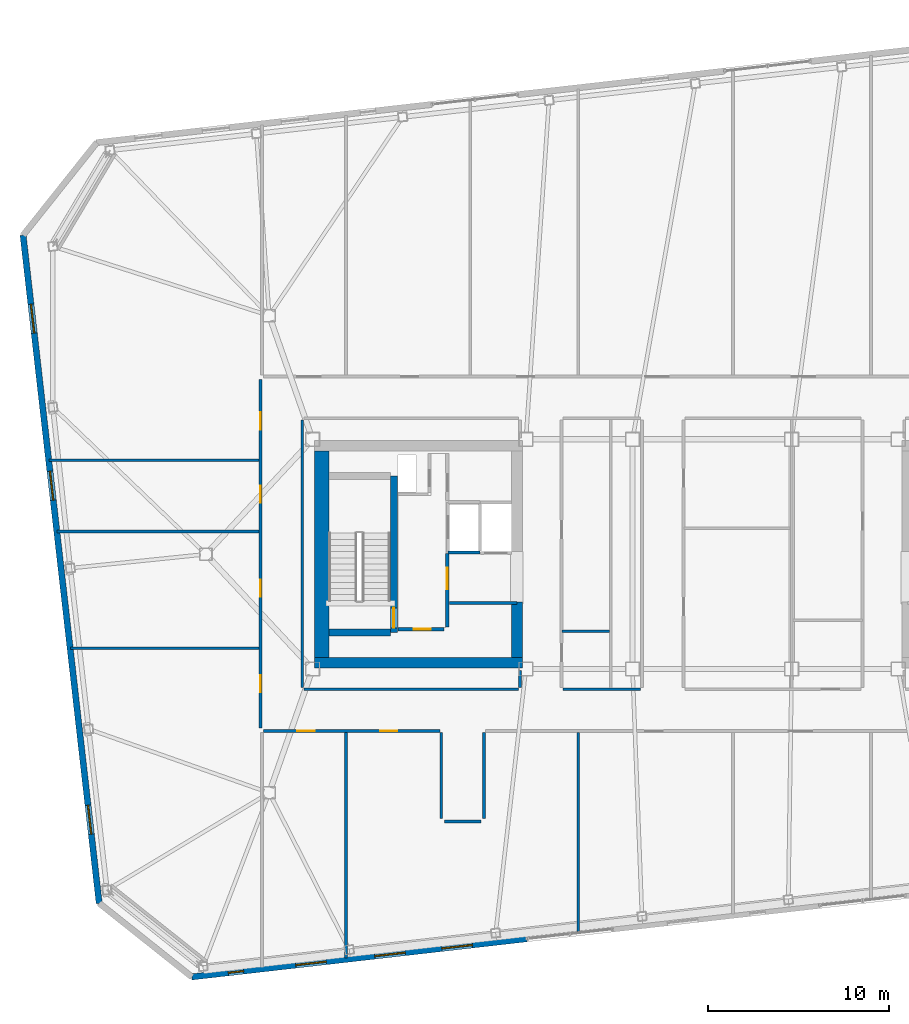
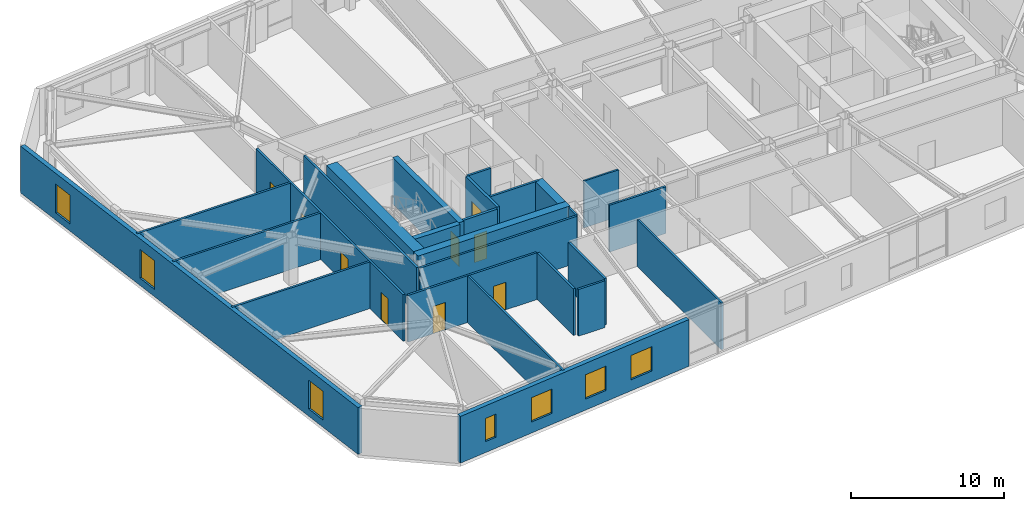
# One storey, part 12 of 19: 26 walls, 9 doors, 7 windows, 16 openings.
"""IFC4 building model written with IfcOpenShell, lengths in metres."""

from ifc_helpers import new_model, si_unit, direction, frame, frame_2d, origin, place, context, subcontext, project, spatial, rectangle, extrude, material, layer, layer_set, type_object, element, fill, save


model = new_model("IFC4")

# Units and contexts
model_context = context("Model", 3, precision=1e-05, world=origin(), true_north=direction((0.0, 1.0)))
body_context = subcontext(model_context, "Body", "Model", "MODEL_VIEW")
ifc_project = project(units=[si_unit("LENGTHUNIT", "METRE"), si_unit("AREAUNIT", "SQUARE_METRE"), si_unit("VOLUMEUNIT", "CUBIC_METRE"), si_unit("PLANEANGLEUNIT", "RADIAN"), si_unit("MASSUNIT", "GRAM", prefix="KILO")], contexts=[model_context])

# Site, building, storey
site_placement = place(None, origin())
site = spatial("IfcSite", under=ifc_project, at=site_placement, CompositionType="ELEMENT")
building_placement = place(site_placement, origin())
building = spatial("IfcBuilding", under=site, at=building_placement, Name="Tavrogorsk Clinical Tower", CompositionType="ELEMENT")
storey_placement = place(building_placement, frame((0.0, 0.0, 255.0)))
storey = spatial("IfcBuildingStorey", under=building, at=storey_placement, Name="L59", CompositionType="ELEMENT", Elevation=255.0)

# Wall, opening, door
ifc_material_1 = material(Name="Concrete B60", Category="concrete")
ifc_layer_1 = layer(ifc_material_1, 0.199951171875)
ifc_layer_set_1 = layer_set([ifc_layer_1], Name="Concrete B60")
wall_type_1 = type_object("IfcWallType", Name="CoreFireWall_200", PredefinedType="SOLIDWALL", material=ifc_layer_set_1)
wall_1_placement = place(storey_placement, frame((-17.3798828125, -4.139892578125, 0.0), z_axis=(0.0, 0.0, 1.0), x_axis=(1.0, 0.0, 0.0)))
wall_1 = element("IfcWall", 1, at=wall_1_placement, inside=storey, type_object=wall_type_1, Name="L59 Core West South Core Room Fire Wall", PredefinedType="SOLIDWALL", context=body_context, shape_type="SweptSolid", body=[
    extrude(rectangle(XDim=2.554931640625, YDim=0.199951171875, at=frame_2d((1.27734375, 0.0))), origin(), (0.0, 0.0, 1.0), 3.739990234375),
])
opening_1_placement = place(wall_1_placement, frame((0.8798828125, 0.0, 0.0)))
opening_1 = element("IfcOpeningElement", 2, at=opening_1_placement, cuts=wall_1, Name="Opening ID-02", PredefinedType="OPENING", context=body_context, shape_type="SweptSolid", body=[
    extrude(rectangle(XDim=0.949951171875, YDim=2.199951171875, at=frame_2d((0.47509765625, 1.10009765625))), frame((0.0, 0.10986328125, 0.0), z_axis=(0.0, -1.0, 0.0), x_axis=(1.0, 0.0, 0.0)), (0.0, 0.0, 1.0), 0.219970703125),
])
ifc_material_2 = material(Name="Laminated timber leaf on aluminium frame", Category="wood")
door_type_1 = type_object("IfcDoorType", Name="InteriorDoor_ID02_950", OperationType="NOTDEFINED", PredefinedType="DOOR", material=ifc_material_2)
door_1_placement = place(opening_1_placement, origin())
door_1 = element("IfcDoor", 3, at=door_1_placement, inside=storey, type_object=door_type_1, Name="L59 Core West South Core Room Door", OperationType="SINGLE_SWING_RIGHT", OverallHeight=2.199951171875, OverallWidth=0.949951171875, PredefinedType="DOOR", context=body_context, shape_type="SweptSolid", body=[
    extrude(rectangle(XDim=0.949951171875, YDim=2.199951171875, at=frame_2d((0.47509765625, 1.10009765625))), frame((0.0, 0.02490234375, 0.0), z_axis=(0.0, -1.0, 0.0), x_axis=(1.0, 0.0, 0.0)), (0.0, 0.0, 1.0), 0.050048828125),
])
fill(opening_1, door_1)

wall_2_placement = place(storey_placement, frame((-14.639892578125, -4.034912109375, 0.0), z_axis=(0.0, 0.0, 1.0), x_axis=(0.0, 1.0, 0.0)))
wall_2 = element("IfcWall", 4, at=wall_2_placement, inside=storey, type_object=wall_type_1, Name="L59 Core West Firefighting Lobby Fire Wall", PredefinedType="SOLIDWALL", context=body_context, shape_type="SweptSolid", body=[
    extrude(rectangle(XDim=4.074951171875, YDim=0.199951171875, at=frame_2d((2.03759765625, 0.0))), origin(), (0.0, 0.0, 1.0), 3.739990234375),
])
opening_2_placement = place(wall_2_placement, frame((2.090087890625, 0.0, 0.0)))
opening_2 = element("IfcOpeningElement", 5, at=opening_2_placement, cuts=wall_2, Name="Opening FD-01", PredefinedType="OPENING", context=body_context, shape_type="SweptSolid", body=[
    extrude(rectangle(XDim=1.199951171875, YDim=2.199951171875, at=frame_2d((0.60009765625, 1.10009765625))), frame((0.0, 0.10986328125, 0.0), z_axis=(0.0, -1.0, 0.0), x_axis=(1.0, 0.0, 0.0)), (0.0, 0.0, 1.0), 0.219970703125),
])
ifc_material_3 = material(Name="Galvanised steel fire-rated door assembly", Category="steel")
door_type_2 = type_object("IfcDoorType", Name="FireDoor_FD01_1200", OperationType="NOTDEFINED", PredefinedType="DOOR", material=ifc_material_3)
door_2_placement = place(opening_2_placement, origin())
door_2 = element("IfcDoor", 6, at=door_2_placement, inside=storey, type_object=door_type_2, Name="L59 Core West Firefighting Lobby Entry Door", OperationType="SINGLE_SWING_RIGHT", OverallHeight=2.199951171875, OverallWidth=1.199951171875, PredefinedType="DOOR", context=body_context, shape_type="SweptSolid", body=[
    extrude(rectangle(XDim=1.199951171875, YDim=2.199951171875, at=frame_2d((0.60009765625, 1.10009765625))), frame((0.0, 0.02490234375, 0.0), z_axis=(0.0, -1.0, 0.0), x_axis=(1.0, 0.0, 0.0)), (0.0, 0.0, 1.0), 0.050048828125),
])
fill(opening_2, door_2)

# Walls
ifc_material_4 = material(Name="Lightweight concrete blockwork B15", Category="masonry")
ifc_layer_2 = layer(ifc_material_4, 0.139892578125)
ifc_layer_set_2 = layer_set([ifc_layer_2], Name="Lightweight concrete blockwork B15")
wall_type_2 = type_object("IfcWallType", Name="PartitionWall_140", PredefinedType="PARTITIONING", material=ifc_layer_set_2)
wall_3_placement = place(storey_placement, frame((-8.31494140625, -4.25, 0.0), z_axis=(0.0, 0.0, 1.0), x_axis=(1.0, 0.0, 0.0)))
element("IfcWall", 7, at=wall_3_placement, inside=storey, type_object=wall_type_2, Name="L59 Central Spine Partition 4", PredefinedType="PARTITIONING", context=body_context, shape_type="SweptSolid", body=[
    extrude(rectangle(XDim=2.639892578125, YDim=0.139892578125, at=frame_2d((1.31982421875, 0.0))), origin(), (0.0, 0.0, 1.0), 3.739990234375),
])
ifc_material_5 = material(Name="Lightweight concrete blockwork B15", Category="masonry")
ifc_layer_3 = layer(ifc_material_5, 0.159912109375)
ifc_layer_set_3 = layer_set([ifc_layer_3], Name="Lightweight concrete blockwork B15")
wall_type_3 = type_object("IfcWallType", Name="PartitionWall_160", PredefinedType="PARTITIONING", material=ifc_layer_set_3)
wall_4_placement = place(storey_placement, frame((-14.534912109375, -2.699951171875, 0.0), z_axis=(0.0, 0.0, 1.0), x_axis=(1.0, 0.0, 0.0)))
element("IfcWall", 8, at=wall_4_placement, inside=storey, type_object=wall_type_3, Name="L59 Core West Freed Mid-Bank North Partition", PredefinedType="PARTITIONING", context=body_context, shape_type="SweptSolid", body=[
    extrude(rectangle(XDim=3.73486328125, YDim=0.159912109375, at=frame_2d((1.867431640625, 0.0))), origin(), (0.0, 0.0, 1.0), 3.739990234375),
])

# Wall, openings, doors
wall_5_placement = place(storey_placement, frame((-24.97998046875, -9.614990234375, 0.0), z_axis=(0.0, 0.0, 1.0), x_axis=(0.0, 1.0, 0.0)))
wall_5 = element("IfcWall", 9, at=wall_5_placement, inside=storey, type_object=wall_type_3, Name="L59 Corridor Partition 01", PredefinedType="PARTITIONING", context=body_context, shape_type="SweptSolid", body=[
    extrude(rectangle(XDim=19.280029296875, YDim=0.159912109375, at=frame_2d((9.64013671875, 0.0))), origin(), (0.0, 0.0, 1.0), 3.739990234375),
])
opening_3_placement = place(wall_5_placement, frame((1.968994140625, 0.0, 0.0)))
opening_3 = element("IfcOpeningElement", 10, at=opening_3_placement, cuts=wall_5, Name="Opening ID-02", PredefinedType="OPENING", context=body_context, shape_type="SweptSolid", body=[
    extrude(rectangle(XDim=0.949951171875, YDim=2.199951171875, at=frame_2d((0.47509765625, 1.10009765625))), frame((0.0, 0.08984375, 0.0), z_axis=(0.0, -1.0, 0.0), x_axis=(1.0, 0.0, 0.0)), (0.0, 0.0, 1.0), 0.179931640625),
])
opening_4_placement = place(wall_5_placement, frame((7.25, 0.0, 0.0)))
opening_4 = element("IfcOpeningElement", 11, at=opening_4_placement, cuts=wall_5, Name="Opening ID-02", PredefinedType="OPENING", context=body_context, shape_type="SweptSolid", body=[
    extrude(rectangle(XDim=0.949951171875, YDim=2.199951171875, at=frame_2d((0.47509765625, 1.10009765625))), frame((0.0, 0.08984375, 0.0), z_axis=(0.0, -1.0, 0.0), x_axis=(1.0, 0.0, 0.0)), (0.0, 0.0, 1.0), 0.179931640625),
])
opening_5_placement = place(wall_5_placement, frame((12.449951171875, 0.0, 0.0)))
opening_5 = element("IfcOpeningElement", 12, at=opening_5_placement, cuts=wall_5, Name="Opening ID-02", PredefinedType="OPENING", context=body_context, shape_type="SweptSolid", body=[
    extrude(rectangle(XDim=0.949951171875, YDim=2.199951171875, at=frame_2d((0.47509765625, 1.10009765625))), frame((0.0, 0.08984375, 0.0), z_axis=(0.0, -1.0, 0.0), x_axis=(1.0, 0.0, 0.0)), (0.0, 0.0, 1.0), 0.179931640625),
])
opening_6_placement = place(wall_5_placement, frame((16.505859375, 0.0, 0.0)))
opening_6 = element("IfcOpeningElement", 13, at=opening_6_placement, cuts=wall_5, Name="Opening ID-02", PredefinedType="OPENING", context=body_context, shape_type="SweptSolid", body=[
    extrude(rectangle(XDim=0.949951171875, YDim=2.199951171875, at=frame_2d((0.47509765625, 1.10009765625))), frame((0.0, 0.08984375, 0.0), z_axis=(0.0, -1.0, 0.0), x_axis=(1.0, 0.0, 0.0)), (0.0, 0.0, 1.0), 0.179931640625),
])
door_3_placement = place(opening_3_placement, origin())
door_3 = element("IfcDoor", 14, at=door_3_placement, inside=storey, type_object=door_type_1, Name="L59 W Solarium Day Room & Lounge 1 Door", OperationType="SINGLE_SWING_LEFT", OverallHeight=2.199951171875, OverallWidth=0.949951171875, PredefinedType="DOOR", context=body_context, shape_type="SweptSolid", body=[
    extrude(rectangle(XDim=0.949951171875, YDim=2.199951171875, at=frame_2d((0.47509765625, 1.10009765625))), frame((0.0, 0.02490234375, 0.0), z_axis=(0.0, -1.0, 0.0), x_axis=(1.0, 0.0, 0.0)), (0.0, 0.0, 1.0), 0.050048828125),
])
fill(opening_3, door_3)
door_4_placement = place(opening_4_placement, origin())
door_4 = element("IfcDoor", 15, at=door_4_placement, inside=storey, type_object=door_type_1, Name="L59 W Rehabilitation Therapy Suite 2 Door", OperationType="SINGLE_SWING_RIGHT", OverallHeight=2.199951171875, OverallWidth=0.949951171875, PredefinedType="DOOR", context=body_context, shape_type="SweptSolid", body=[
    extrude(rectangle(XDim=0.949951171875, YDim=2.199951171875, at=frame_2d((0.47509765625, 1.10009765625))), frame((0.0, 0.02490234375, 0.0), z_axis=(0.0, -1.0, 0.0), x_axis=(1.0, 0.0, 0.0)), (0.0, 0.0, 1.0), 0.050048828125),
])
fill(opening_4, door_4)
door_5_placement = place(opening_5_placement, origin())
door_5 = element("IfcDoor", 16, at=door_5_placement, inside=storey, type_object=door_type_1, Name="L59 W Sub-Acute Observation Suite 3 Door", OperationType="SINGLE_SWING_LEFT", OverallHeight=2.199951171875, OverallWidth=0.949951171875, PredefinedType="DOOR", context=body_context, shape_type="SweptSolid", body=[
    extrude(rectangle(XDim=0.949951171875, YDim=2.199951171875, at=frame_2d((0.47509765625, 1.10009765625))), frame((0.0, 0.02490234375, 0.0), z_axis=(0.0, -1.0, 0.0), x_axis=(1.0, 0.0, 0.0)), (0.0, 0.0, 1.0), 0.050048828125),
])
fill(opening_5, door_5)
door_6_placement = place(opening_6_placement, origin())
door_6 = element("IfcDoor", 17, at=door_6_placement, inside=storey, type_object=door_type_1, Name="L59 W Family Consultation Lounge 4 Door", OperationType="SINGLE_SWING_RIGHT", OverallHeight=2.199951171875, OverallWidth=0.949951171875, PredefinedType="DOOR", context=body_context, shape_type="SweptSolid", body=[
    extrude(rectangle(XDim=0.949951171875, YDim=2.199951171875, at=frame_2d((0.47509765625, 1.10009765625))), frame((0.0, 0.02490234375, 0.0), z_axis=(0.0, -1.0, 0.0), x_axis=(1.0, 0.0, 0.0)), (0.0, 0.0, 1.0), 0.050048828125),
])
fill(opening_6, door_6)

# Walls
wall_6_placement = place(storey_placement, frame((-12.6201171875, -9.864990234375, 0.0), z_axis=(0.0, 0.0, 1.0), x_axis=(0.0, -1.0, 0.0)))
element("IfcWall", 18, at=wall_6_placement, inside=storey, type_object=wall_type_3, Name="L59 Corridor Partition 05", PredefinedType="PARTITIONING", context=body_context, shape_type="SweptSolid", body=[
    extrude(rectangle(XDim=4.75, YDim=0.159912109375, at=frame_2d((2.375, 0.0))), origin(), (0.0, 0.0, 1.0), 3.739990234375),
])
wall_7_placement = place(storey_placement, frame((-12.784912109375, -14.780029296875, 0.0), z_axis=(0.0, 0.0, 1.0), x_axis=(-1.0, 0.0, 0.0)))
element("IfcWall", 19, at=wall_7_placement, inside=storey, type_object=wall_type_3, Name="L59 Corridor Partition 06", PredefinedType="PARTITIONING", context=body_context, shape_type="SweptSolid", body=[
    extrude(rectangle(XDim=2.030029296875, YDim=0.159912109375, at=frame_2d((1.01513671875, 0.0))), origin(), (0.0, 0.0, 1.0), 3.739990234375),
])
wall_8_placement = place(storey_placement, frame((-14.97998046875, -14.614990234375, 0.0), z_axis=(0.0, 0.0, 1.0), x_axis=(0.0, 1.0, 0.0)))
element("IfcWall", 20, at=wall_8_placement, inside=storey, type_object=wall_type_3, Name="L59 Corridor Partition 07", PredefinedType="PARTITIONING", context=body_context, shape_type="SweptSolid", body=[
    extrude(rectangle(XDim=4.75, YDim=0.159912109375, at=frame_2d((2.375, 0.0))), origin(), (0.0, 0.0, 1.0), 3.739990234375),
])

# Wall, openings, doors
wall_9_placement = place(storey_placement, frame((-15.06494140625, -9.780029296875, 0.0), z_axis=(0.0, 0.0, 1.0), x_axis=(-1.0, 0.0, 0.0)))
wall_9 = element("IfcWall", 21, at=wall_9_placement, inside=storey, type_object=wall_type_3, Name="L59 Corridor Partition 08", PredefinedType="PARTITIONING", context=body_context, shape_type="SweptSolid", body=[
    extrude(rectangle(XDim=9.75, YDim=0.159912109375, at=frame_2d((4.875, 0.0))), origin(), (0.0, 0.0, 1.0), 3.739990234375),
])
opening_7_placement = place(wall_9_placement, frame((6.92578125, 0.0, 0.0)))
opening_7 = element("IfcOpeningElement", 22, at=opening_7_placement, cuts=wall_9, Name="Opening ID-02", PredefinedType="OPENING", context=body_context, shape_type="SweptSolid", body=[
    extrude(rectangle(XDim=0.949951171875, YDim=2.199951171875, at=frame_2d((0.47509765625, 1.10009765625))), frame((0.0, 0.08984375, 0.0), z_axis=(0.0, -1.0, 0.0), x_axis=(1.0, 0.0, 0.0)), (0.0, 0.0, 1.0), 0.179931640625),
])
opening_8_placement = place(wall_9_placement, frame((2.35400390625, 0.0, 0.0)))
opening_8 = element("IfcOpeningElement", 23, at=opening_8_placement, cuts=wall_9, Name="Opening ID-02", PredefinedType="OPENING", context=body_context, shape_type="SweptSolid", body=[
    extrude(rectangle(XDim=0.949951171875, YDim=2.199951171875, at=frame_2d((0.47509765625, 1.10009765625))), frame((0.0, 0.08984375, 0.0), z_axis=(0.0, -1.0, 0.0), x_axis=(1.0, 0.0, 0.0)), (0.0, 0.0, 1.0), 0.179931640625),
])
door_7_placement = place(opening_7_placement, origin())
door_7 = element("IfcDoor", 24, at=door_7_placement, inside=storey, type_object=door_type_1, Name="L59 South Outpatient Procedure Suite 01 Door", OperationType="SINGLE_SWING_LEFT", OverallHeight=2.199951171875, OverallWidth=0.949951171875, PredefinedType="DOOR", context=body_context, shape_type="SweptSolid", body=[
    extrude(rectangle(XDim=0.949951171875, YDim=2.199951171875, at=frame_2d((0.47509765625, 1.10009765625))), frame((0.0, 0.02490234375, 0.0), z_axis=(0.0, -1.0, 0.0), x_axis=(1.0, 0.0, 0.0)), (0.0, 0.0, 1.0), 0.050048828125),
])
fill(opening_7, door_7)
door_8_placement = place(opening_8_placement, origin())
door_8 = element("IfcDoor", 25, at=door_8_placement, inside=storey, type_object=door_type_1, Name="L59 South Cardiology Diagnostics Room 02 Door", OperationType="SINGLE_SWING_RIGHT", OverallHeight=2.199951171875, OverallWidth=0.949951171875, PredefinedType="DOOR", context=body_context, shape_type="SweptSolid", body=[
    extrude(rectangle(XDim=0.949951171875, YDim=2.199951171875, at=frame_2d((0.47509765625, 1.10009765625))), frame((0.0, 0.02490234375, 0.0), z_axis=(0.0, -1.0, 0.0), x_axis=(1.0, 0.0, 0.0)), (0.0, 0.0, 1.0), 0.050048828125),
])
fill(opening_8, door_8)

# Walls
wall_10_placement = place(storey_placement, frame((-8.235107421875, -7.469970703125, 0.0), z_axis=(0.0, 0.0, 1.0), x_axis=(1.0, 0.0, 0.0)))
element("IfcWall", 26, at=wall_10_placement, inside=storey, type_object=wall_type_3, Name="L59 Corridor Partition 21", PredefinedType="PARTITIONING", context=body_context, shape_type="SweptSolid", body=[
    extrude(rectangle(XDim=4.27001953125, YDim=0.159912109375, at=frame_2d((2.135009765625, 0.0))), origin(), (0.0, 0.0, 1.0), 3.739990234375),
])
wall_11_placement = place(storey_placement, frame((-10.6298828125, -7.385009765625, 0.0), z_axis=(0.0, 0.0, 1.0), x_axis=(0.0, 1.0, 0.0)))
element("IfcWall", 27, at=wall_11_placement, inside=storey, type_object=wall_type_3, Name="L59 Corridor Partition 22", PredefinedType="PARTITIONING", context=body_context, shape_type="SweptSolid", body=[
    extrude(rectangle(XDim=0.965087890625, YDim=0.159912109375, at=frame_2d((0.482421875, 0.0))), origin(), (0.0, 0.0, 1.0), 3.739990234375),
])
wall_12_placement = place(storey_placement, frame((-22.669921875, 7.43505859375, 0.0), z_axis=(0.0, 0.0, 1.0), x_axis=(0.0, -1.0, 0.0)))
element("IfcWall", 28, at=wall_12_placement, inside=storey, type_object=wall_type_3, Name="L59 Corridor Partition 25", PredefinedType="PARTITIONING", context=body_context, shape_type="SweptSolid", body=[
    extrude(rectangle(XDim=14.820068359375, YDim=0.159912109375, at=frame_2d((7.41015625, 0.0))), origin(), (0.0, 0.0, 1.0), 3.739990234375),
])
wall_13_placement = place(storey_placement, frame((-22.5849609375, -7.469970703125, 0.0), z_axis=(0.0, 0.0, 1.0), x_axis=(1.0, 0.0, 0.0)))
element("IfcWall", 29, at=wall_13_placement, inside=storey, type_object=wall_type_3, Name="L59 Corridor Partition 26", PredefinedType="PARTITIONING", context=body_context, shape_type="SweptSolid", body=[
    extrude(rectangle(XDim=11.869873046875, YDim=0.159912109375, at=frame_2d((5.93505859375, 0.0))), origin(), (0.0, 0.0, 1.0), 3.739990234375),
])
wall_14_placement = place(storey_placement, frame((-20.25, -22.343505859375, 0.0), z_axis=(0.0, 0.0, 1.0), x_axis=(0.0, 1.0, 0.0)))
element("IfcWall", 30, at=wall_14_placement, inside=storey, type_object=wall_type_3, Name="L59 South Room Partition 1", PredefinedType="PARTITIONING", context=body_context, shape_type="SweptSolid", body=[
    extrude(rectangle(XDim=12.478515625, YDim=0.159912109375, at=frame_2d((6.2392578125, 0.0))), origin(), (0.0, 0.0, 1.0), 3.739990234375),
])
wall_15_placement = place(storey_placement, frame((-7.39990234375, -20.87939453125, 0.0), z_axis=(0.0, 0.0, 1.0), x_axis=(0.0, 1.0, 0.0)))
element("IfcWall", 31, at=wall_15_placement, inside=storey, type_object=wall_type_3, Name="L59 South Room Partition 2", PredefinedType="PARTITIONING", context=body_context, shape_type="SweptSolid", body=[
    extrude(rectangle(XDim=11.014404296875, YDim=0.159912109375, at=frame_2d((5.50732421875, 0.0))), origin(), (0.0, 0.0, 1.0), 3.739990234375),
])
wall_16_placement = place(storey_placement, frame((-35.494384765625, -5.199951171875, 0.0), z_axis=(0.0, 0.0, 1.0), x_axis=(1.0, 0.0, 0.0)))
element("IfcWall", 32, at=wall_16_placement, inside=storey, type_object=wall_type_3, Name="L59 W Wing Divider 1", PredefinedType="PARTITIONING", context=body_context, shape_type="SweptSolid", body=[
    extrude(rectangle(XDim=10.429443359375, YDim=0.159912109375, at=frame_2d((5.21484375, 0.0))), origin(), (0.0, 0.0, 1.0), 3.739990234375),
])
wall_17_placement = place(storey_placement, frame((-36.2294921875, 1.25, 0.0), z_axis=(0.0, 0.0, 1.0), x_axis=(1.0, 0.0, 0.0)))
element("IfcWall", 33, at=wall_17_placement, inside=storey, type_object=wall_type_3, Name="L59 W Wing Divider 2", PredefinedType="PARTITIONING", context=body_context, shape_type="SweptSolid", body=[
    extrude(rectangle(XDim=11.16455078125, YDim=0.159912109375, at=frame_2d((5.582275390625, 0.0))), origin(), (0.0, 0.0, 1.0), 3.739990234375),
])
wall_18_placement = place(storey_placement, frame((-36.679443359375, 5.199951171875, 0.0), z_axis=(0.0, 0.0, 1.0), x_axis=(1.0, 0.0, 0.0)))
element("IfcWall", 34, at=wall_18_placement, inside=storey, type_object=wall_type_3, Name="L59 W Wing Divider 3", PredefinedType="PARTITIONING", context=body_context, shape_type="SweptSolid", body=[
    extrude(rectangle(XDim=11.614501953125, YDim=0.159912109375, at=frame_2d((5.80712890625, 0.0))), origin(), (0.0, 0.0, 1.0), 3.739990234375),
])

# Wall, openings, windows
ifc_material_6 = material(Name="Precast concrete B45 with limestone cladding", Category="masonry")
ifc_layer_4 = layer(ifc_material_6, 0.340087890625)
ifc_layer_set_4 = layer_set([ifc_layer_4], Name="Precast concrete B45 with limestone cladding")
wall_type_4 = type_object("IfcWallType", Name="PrecastLimestoneWall_340", PredefinedType="STANDARD", material=ifc_layer_set_4)
wall_19_placement = place(storey_placement, frame((-28.78271484375, -23.38623046875, 0.0), z_axis=(0.0, 0.0, 1.0), x_axis=(0.993572271362, 0.113199565282, 0.0)))
wall_19 = element("IfcWall", 35, at=wall_19_placement, inside=storey, type_object=wall_type_4, Name="L59 S Limestone Facade Wall 1", PredefinedType="STANDARD", context=body_context, shape_type="SweptSolid", body=[
    extrude(rectangle(XDim=18.6513671875, YDim=0.340087890625, at=frame_2d((9.32568359375, 0.0))), origin(), (0.0, 0.0, 1.0), 3.739990234375),
])
opening_9_placement = place(wall_19_placement, frame((2.030029296875, 0.0, 0.8798828125)))
opening_9 = element("IfcOpeningElement", 36, at=opening_9_placement, cuts=wall_19, Name="Opening WN-06", PredefinedType="OPENING", context=body_context, shape_type="SweptSolid", body=[
    extrude(rectangle(XDim=0.85009765625, YDim=1.85009765625, at=frame_2d((0.425048828125, 0.925048828125))), frame((0.0, 0.179931640625, 0.0), z_axis=(0.0, -1.0, 0.0), x_axis=(1.0, 0.0, 0.0)), (0.0, 0.0, 1.0), 0.360107421875),
])
opening_10_placement = place(wall_19_placement, frame((5.778564453125, 0.0, 0.8798828125)))
opening_10 = element("IfcOpeningElement", 37, at=opening_10_placement, cuts=wall_19, Name="Opening WN-15", PredefinedType="OPENING", context=body_context, shape_type="SweptSolid", body=[
    extrude(rectangle(XDim=1.699951171875, YDim=1.949951171875, at=frame_2d((0.85009765625, 0.97509765625))), frame((0.0, 0.179931640625, 0.0), z_axis=(0.0, -1.0, 0.0), x_axis=(1.0, 0.0, 0.0)), (0.0, 0.0, 1.0), 0.360107421875),
])
opening_11_placement = place(wall_19_placement, frame((10.1787109375, 0.0, 0.8798828125)))
opening_11 = element("IfcOpeningElement", 38, at=opening_11_placement, cuts=wall_19, Name="Opening WN-15", PredefinedType="OPENING", context=body_context, shape_type="SweptSolid", body=[
    extrude(rectangle(XDim=1.699951171875, YDim=1.949951171875, at=frame_2d((0.85009765625, 0.97509765625))), frame((0.0, 0.179931640625, 0.0), z_axis=(0.0, -1.0, 0.0), x_axis=(1.0, 0.0, 0.0)), (0.0, 0.0, 1.0), 0.360107421875),
])
opening_12_placement = place(wall_19_placement, frame((13.927001953125, 0.0, 0.8798828125)))
opening_12 = element("IfcOpeningElement", 39, at=opening_12_placement, cuts=wall_19, Name="Opening WN-15", PredefinedType="OPENING", context=body_context, shape_type="SweptSolid", body=[
    extrude(rectangle(XDim=1.699951171875, YDim=1.949951171875, at=frame_2d((0.85009765625, 0.97509765625))), frame((0.0, 0.179931640625, 0.0), z_axis=(0.0, -1.0, 0.0), x_axis=(1.0, 0.0, 0.0)), (0.0, 0.0, 1.0), 0.360107421875),
])
ifc_material_7 = material(Name="Thermally broken aluminium frame and triple IGU", Category="aluminium")
window_type_1 = type_object("IfcWindowType", Name="MullionSubWin_850x1850", PartitioningType="SINGLE_PANEL", PredefinedType="WINDOW", material=ifc_material_7)
window_1_placement = place(opening_9_placement, origin())
window_1 = element("IfcWindow", 40, at=window_1_placement, inside=storey, type_object=window_type_1, Name="L59 S Mullion Split Window 01A", OverallHeight=1.85009765625, OverallWidth=0.85009765625, PartitioningType="SINGLE_PANEL", PredefinedType="WINDOW", context=body_context, shape_type="SweptSolid", body=[
    extrude(rectangle(XDim=0.85009765625, YDim=1.85009765625, at=frame_2d((0.425048828125, 0.925048828125))), frame((0.0, 0.030029296875, 0.0), z_axis=(0.0, -1.0, 0.0), x_axis=(1.0, 0.0, 0.0)), (0.0, 0.0, 1.0), 0.06005859375),
])
fill(opening_9, window_1)
ifc_material_8 = material(Name="Thermally broken aluminium frame and triple IGU", Category="aluminium")
window_type_2 = type_object("IfcWindowType", Name="OfficeChicagoWin_1700x1950", PartitioningType="SINGLE_PANEL", PredefinedType="WINDOW", material=ifc_material_8)
window_2_placement = place(opening_10_placement, origin())
window_2 = element("IfcWindow", 41, at=window_2_placement, inside=storey, type_object=window_type_2, Name="L59 S Chicago Window 02", OverallHeight=1.949951171875, OverallWidth=1.699951171875, PartitioningType="SINGLE_PANEL", PredefinedType="WINDOW", context=body_context, shape_type="SweptSolid", body=[
    extrude(rectangle(XDim=1.699951171875, YDim=1.949951171875, at=frame_2d((0.85009765625, 0.97509765625))), frame((0.0, 0.030029296875, 0.0), z_axis=(0.0, -1.0, 0.0), x_axis=(1.0, 0.0, 0.0)), (0.0, 0.0, 1.0), 0.06005859375),
])
fill(opening_10, window_2)
window_3_placement = place(opening_11_placement, origin())
window_3 = element("IfcWindow", 42, at=window_3_placement, inside=storey, type_object=window_type_2, Name="L59 S Chicago Window 03", OverallHeight=1.949951171875, OverallWidth=1.699951171875, PartitioningType="SINGLE_PANEL", PredefinedType="WINDOW", context=body_context, shape_type="SweptSolid", body=[
    extrude(rectangle(XDim=1.699951171875, YDim=1.949951171875, at=frame_2d((0.85009765625, 0.97509765625))), frame((0.0, 0.030029296875, 0.0), z_axis=(0.0, -1.0, 0.0), x_axis=(1.0, 0.0, 0.0)), (0.0, 0.0, 1.0), 0.06005859375),
])
fill(opening_11, window_3)
window_4_placement = place(opening_12_placement, origin())
window_4 = element("IfcWindow", 43, at=window_4_placement, inside=storey, type_object=window_type_2, Name="L59 S Chicago Window 04", OverallHeight=1.949951171875, OverallWidth=1.699951171875, PartitioningType="SINGLE_PANEL", PredefinedType="WINDOW", context=body_context, shape_type="SweptSolid", body=[
    extrude(rectangle(XDim=1.699951171875, YDim=1.949951171875, at=frame_2d((0.85009765625, 0.97509765625))), frame((0.0, 0.030029296875, 0.0), z_axis=(0.0, -1.0, 0.0), x_axis=(1.0, 0.0, 0.0)), (0.0, 0.0, 1.0), 0.06005859375),
])
fill(opening_12, window_4)

wall_20_placement = place(storey_placement, frame((-38.1181640625, 17.65087890625, 0.0), z_axis=(0.0, 0.0, 1.0), x_axis=(0.11320360501, -0.9935718111, 0.0)))
wall_20 = element("IfcWall", 44, at=wall_20_placement, inside=storey, type_object=wall_type_4, Name="L59 W Pleated Limestone Wing Wall", PredefinedType="STANDARD", context=body_context, shape_type="SweptSolid", body=[
    extrude(rectangle(XDim=37.199951171875, YDim=0.340087890625, at=frame_2d((18.60009765625, 0.0))), origin(), (0.0, 0.0, 1.0), 3.739990234375),
])
opening_13_placement = place(wall_20_placement, frame((3.85009765625, 0.0, 0.580078125)))
opening_13 = element("IfcOpeningElement", 45, at=opening_13_placement, cuts=wall_20, Name="Opening WN-07", PredefinedType="OPENING", context=body_context, shape_type="SweptSolid", body=[
    extrude(rectangle(XDim=1.60009765625, YDim=2.300048828125, at=frame_2d((0.800048828125, 1.14990234375))), frame((0.0, 0.179931640625, 0.0), z_axis=(0.0, -1.0, 0.0), x_axis=(1.0, 0.0, 0.0)), (0.0, 0.0, 1.0), 0.360107421875),
])
opening_14_placement = place(wall_20_placement, frame((13.14990234375, 0.0, 0.580078125)))
opening_14 = element("IfcOpeningElement", 46, at=opening_14_placement, cuts=wall_20, Name="Opening WN-07", PredefinedType="OPENING", context=body_context, shape_type="SweptSolid", body=[
    extrude(rectangle(XDim=1.60009765625, YDim=2.300048828125, at=frame_2d((0.800048828125, 1.14990234375))), frame((0.0, 0.179931640625, 0.0), z_axis=(0.0, -1.0, 0.0), x_axis=(1.0, 0.0, 0.0)), (0.0, 0.0, 1.0), 0.360107421875),
])
opening_15_placement = place(wall_20_placement, frame((31.75, 0.0, 0.580078125)))
opening_15 = element("IfcOpeningElement", 47, at=opening_15_placement, cuts=wall_20, Name="Opening WN-07", PredefinedType="OPENING", context=body_context, shape_type="SweptSolid", body=[
    extrude(rectangle(XDim=1.60009765625, YDim=2.300048828125, at=frame_2d((0.800048828125, 1.14990234375))), frame((0.0, 0.179931640625, 0.0), z_axis=(0.0, -1.0, 0.0), x_axis=(1.0, 0.0, 0.0)), (0.0, 0.0, 1.0), 0.360107421875),
])
ifc_material_9 = material(Name="Thermally broken aluminium frame and triple IGU", Category="aluminium")
window_type_3 = type_object("IfcWindowType", Name="PleatSlotWin_1600x2300", PartitioningType="SINGLE_PANEL", PredefinedType="WINDOW", material=ifc_material_9)
window_5_placement = place(opening_13_placement, origin())
window_5 = element("IfcWindow", 48, at=window_5_placement, inside=storey, type_object=window_type_3, Name="L59 W Pleat Slot Window 1", OverallHeight=2.300048828125, OverallWidth=1.60009765625, PartitioningType="SINGLE_PANEL", PredefinedType="WINDOW", context=body_context, shape_type="SweptSolid", body=[
    extrude(rectangle(XDim=1.60009765625, YDim=2.300048828125, at=frame_2d((0.800048828125, 1.14990234375))), frame((0.0, 0.030029296875, 0.0), z_axis=(0.0, -1.0, 0.0), x_axis=(1.0, 0.0, 0.0)), (0.0, 0.0, 1.0), 0.06005859375),
])
fill(opening_13, window_5)
window_6_placement = place(opening_14_placement, origin())
window_6 = element("IfcWindow", 49, at=window_6_placement, inside=storey, type_object=window_type_3, Name="L59 W Pleat Slot Window 2", OverallHeight=2.300048828125, OverallWidth=1.60009765625, PartitioningType="SINGLE_PANEL", PredefinedType="WINDOW", context=body_context, shape_type="SweptSolid", body=[
    extrude(rectangle(XDim=1.60009765625, YDim=2.300048828125, at=frame_2d((0.800048828125, 1.14990234375))), frame((0.0, 0.030029296875, 0.0), z_axis=(0.0, -1.0, 0.0), x_axis=(1.0, 0.0, 0.0)), (0.0, 0.0, 1.0), 0.06005859375),
])
fill(opening_14, window_6)
window_7_placement = place(opening_15_placement, origin())
window_7 = element("IfcWindow", 50, at=window_7_placement, inside=storey, type_object=window_type_3, Name="L59 W Pleat Slot Window 4", OverallHeight=2.300048828125, OverallWidth=1.60009765625, PartitioningType="SINGLE_PANEL", PredefinedType="WINDOW", context=body_context, shape_type="SweptSolid", body=[
    extrude(rectangle(XDim=1.60009765625, YDim=2.300048828125, at=frame_2d((0.800048828125, 1.14990234375))), frame((0.0, 0.030029296875, 0.0), z_axis=(0.0, -1.0, 0.0), x_axis=(1.0, 0.0, 0.0)), (0.0, 0.0, 1.0), 0.06005859375),
])
fill(opening_15, window_7)

# Wall
ifc_material_10 = material(Name="Lightweight concrete blockwork B25", Category="masonry")
ifc_layer_5 = layer(ifc_material_10, 0.159912109375)
ifc_layer_set_5 = layer_set([ifc_layer_5], Name="Lightweight concrete blockwork B25")
wall_type_5 = type_object("IfcWallType", Name="ShaftWall_160", PredefinedType="PARTITIONING", material=ifc_layer_set_5)
wall_21_placement = place(storey_placement, frame((-14.60009765625, 0.10009765625, 0.0), z_axis=(0.0, 0.0, 1.0), x_axis=(1.0, 0.0, 0.0)))
element("IfcWall", 51, at=wall_21_placement, inside=storey, type_object=wall_type_5, Name="L59 FFL-W Shaft South Wall", PredefinedType="PARTITIONING", context=body_context, shape_type="SweptSolid", body=[
    extrude(rectangle(XDim=1.760009765625, YDim=0.159912109375, at=frame_2d((0.8798828125, 0.0))), origin(), (0.0, 0.0, 1.0), 3.739990234375),
])

# Wall, opening, door
ifc_material_11 = material(Name="Concrete B80", Category="concrete")
ifc_layer_6 = layer(ifc_material_11, 0.39990234375)
ifc_layer_set_6 = layer_set([ifc_layer_6], Name="Concrete B80")
wall_type_6 = type_object("IfcWallType", Name="ShearWall_400", PredefinedType="SHEAR", material=ifc_layer_set_6)
wall_22_placement = place(storey_placement, frame((-17.60009765625, -4.324951171875, 0.0), z_axis=(0.0, 0.0, 1.0), x_axis=(0.0, 1.0, 0.0)))
wall_22 = element("IfcWall", 52, at=wall_22_placement, inside=storey, type_object=wall_type_6, Name="L59 Core West Stair Shaft Inner Shear Wall", PredefinedType="SHEAR", context=body_context, shape_type="SweptSolid", body=[
    extrude(rectangle(XDim=8.64990234375, YDim=0.39990234375, at=frame_2d((4.324951171875, 0.0))), origin(), (0.0, 0.0, 1.0), 3.739990234375),
])
opening_16_placement = place(wall_22_placement, frame((0.25, 0.0, 0.0)))
opening_16 = element("IfcOpeningElement", 53, at=opening_16_placement, cuts=wall_22, Name="Opening SD-01", PredefinedType="OPENING", context=body_context, shape_type="SweptSolid", body=[
    extrude(rectangle(XDim=1.10009765625, YDim=2.199951171875, at=frame_2d((0.550048828125, 1.10009765625))), frame((0.0, 0.2099609375, 0.0), z_axis=(0.0, -1.0, 0.0), x_axis=(1.0, 0.0, 0.0)), (0.0, 0.0, 1.0), 0.419921875),
])
ifc_material_12 = material(Name="Galvanised steel smoke-tight fire door assembly", Category="steel")
door_type_3 = type_object("IfcDoorType", Name="StairFireDoor_SD01_1100", OperationType="NOTDEFINED", PredefinedType="DOOR", material=ifc_material_12)
door_9_placement = place(opening_16_placement, origin())
door_9 = element("IfcDoor", 54, at=door_9_placement, inside=storey, type_object=door_type_3, Name="L59 ST-W Exit Stair Door", OperationType="SINGLE_SWING_RIGHT", OverallHeight=2.199951171875, OverallWidth=1.10009765625, PredefinedType="DOOR", context=body_context, shape_type="SweptSolid", body=[
    extrude(rectangle(XDim=1.10009765625, YDim=2.199951171875, at=frame_2d((0.550048828125, 1.10009765625))), frame((0.0, 0.02490234375, 0.0), z_axis=(0.0, -1.0, 0.0), x_axis=(1.0, 0.0, 0.0)), (0.0, 0.0, 1.0), 0.050048828125),
])
fill(opening_16, door_9)

# Walls
wall_23_placement = place(storey_placement, frame((-21.199951171875, -4.324951171875, 0.0), z_axis=(0.0, 0.0, 1.0), x_axis=(1.0, 0.0, 0.0)))
element("IfcWall", 55, at=wall_23_placement, inside=storey, type_object=wall_type_6, Name="L59 Core West Stair Shaft South Shear Wall", PredefinedType="SHEAR", context=body_context, shape_type="SweptSolid", body=[
    extrude(rectangle(XDim=3.39990234375, YDim=0.39990234375, at=frame_2d((1.699951171875, 0.0))), origin(), (0.0, 0.0, 1.0), 3.739990234375),
])
ifc_material_13 = material(Name="Concrete B80", Category="concrete")
ifc_layer_7 = layer(ifc_material_13, 0.60009765625)
ifc_layer_set_7 = layer_set([ifc_layer_7], Name="Concrete B80")
wall_type_7 = type_object("IfcWallType", Name="ShearWall_600", PredefinedType="SHEAR", material=ifc_layer_set_7)
wall_24_placement = place(storey_placement, frame((-22.0, -6.0, 0.0), z_axis=(0.0, 0.0, 1.0), x_axis=(1.0, 0.0, 0.0)))
element("IfcWall", 56, at=wall_24_placement, inside=storey, type_object=wall_type_7, Name="L59 Core West South Shear Wall", PredefinedType="SHEAR", context=body_context, shape_type="SweptSolid", body=[
    extrude(rectangle(XDim=11.5, YDim=0.60009765625, at=frame_2d((5.75, 0.0))), origin(), (0.0, 0.0, 1.0), 3.739990234375),
])
wall_25_placement = place(storey_placement, frame((-10.800048828125, -5.699951171875, 0.0), z_axis=(0.0, 0.0, 1.0), x_axis=(0.0, 1.0, 0.0)))
element("IfcWall", 57, at=wall_25_placement, inside=storey, type_object=wall_type_7, Name="L59 Core West Inner South Pier", PredefinedType="SHEAR", context=body_context, shape_type="SweptSolid", body=[
    extrude(rectangle(XDim=3.050048828125, YDim=0.60009765625, at=frame_2d((1.52490234375, 0.0))), origin(), (0.0, 0.0, 1.0), 3.739990234375),
])
ifc_material_14 = material(Name="Concrete B80", Category="concrete")
ifc_layer_8 = layer(ifc_material_14, 0.800048828125)
ifc_layer_set_8 = layer_set([ifc_layer_8], Name="Concrete B80")
wall_type_8 = type_object("IfcWallType", Name="ShearWall_800", PredefinedType="SHEAR", material=ifc_layer_set_8)
wall_26_placement = place(storey_placement, frame((-21.60009765625, -5.699951171875, 0.0), z_axis=(0.0, 0.0, 1.0), x_axis=(0.0, 1.0, 0.0)))
element("IfcWall", 58, at=wall_26_placement, inside=storey, type_object=wall_type_8, Name="L59 Core West End Shear Wall", PredefinedType="SHEAR", context=body_context, shape_type="SweptSolid", body=[
    extrude(rectangle(XDim=11.39990234375, YDim=0.800048828125, at=frame_2d((5.699951171875, 0.0))), origin(), (0.0, 0.0, 1.0), 3.739990234375),
])

save(model, "model.ifc")
